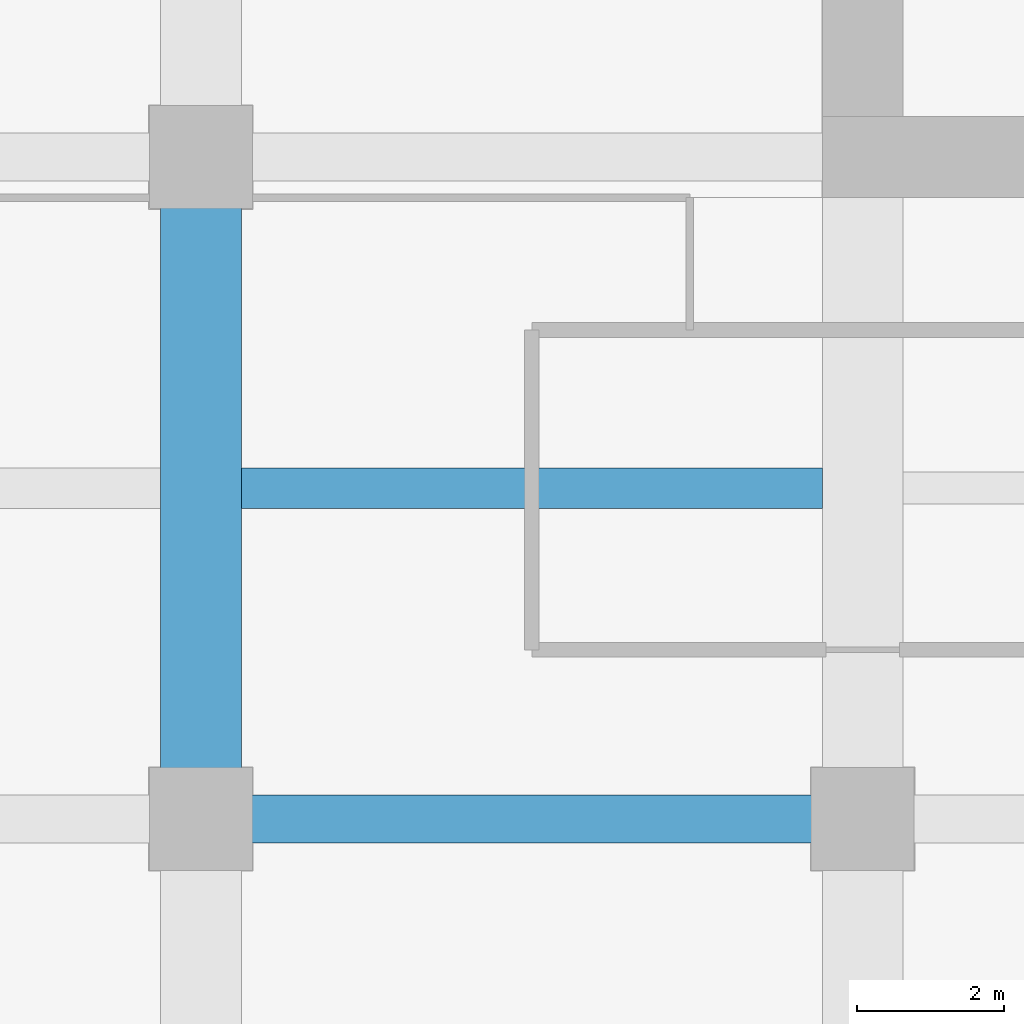
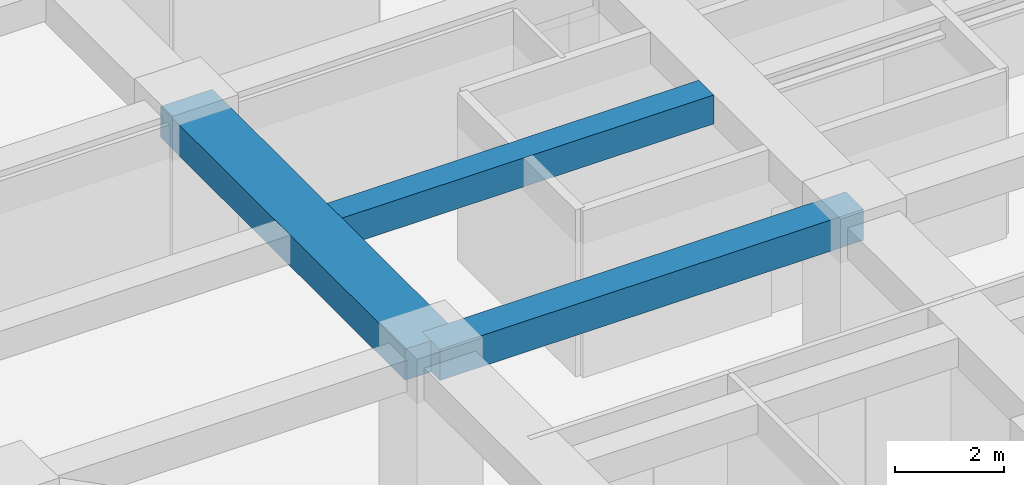
# One storey, part 5 of 33: 3 beams.
"""IFC4 building model written with IfcOpenShell, lengths in metres."""

import ifcopenshell
import ifcopenshell.guid

model = None  # the IFC model being written
_history = None  # IfcOwnerHistory: only IFC2X3 demands one
_inside = {}  # id of a spatial element -> (the spatial element, [elements in it])
_under = {}  # id of a project, library or spatial element -> (it, [spatial elements below it])
_declared = {}  # id of a project -> (the project, [libraries it declares])
_typed = {}  # id of a type object -> (the type object, [elements of that type])
_made_of = {}  # id of a material, layer set ... -> (it, [elements and type objects made of it])


def new_model(schema):
    """Start an empty IFC model of exactly this schema.

    Asked for "IFC4X3", IfcOpenShell would pick the latest addendum, in which some entities
    have other attributes; the version numbers below select the first issue.
    IFC2X3 requires an IfcOwnerHistory on every rooted entity: one is made here for all.
    """
    global model, _history
    if schema == "IFC4X3":
        model = ifcopenshell.file(schema_version=(4, 3, 0, 0))
    else:
        model = ifcopenshell.file(schema=schema)
    _inside.clear()
    _under.clear()
    _declared.clear()
    _typed.clear()
    _made_of.clear()
    _history = None
    if model.schema == "IFC2X3":
        org = make("IfcOrganization", Name="unknown")
        user = make(
            "IfcPersonAndOrganization",
            ThePerson=make("IfcPerson", FamilyName="unknown"),
            TheOrganization=org,
        )
        app = make(
            "IfcApplication",
            ApplicationDeveloper=org,
            Version="unknown",
            ApplicationFullName="unknown",
            ApplicationIdentifier="unknown",
        )
        _history = make(
            "IfcOwnerHistory",
            OwningUser=user,
            OwningApplication=app,
            ChangeAction="ADDED",
            CreationDate=0,
        )
    return model


def make(cls, **values):
    """One entity of the class cls with the attributes given. An attribute that is None is left unset."""
    return model.create_entity(
        cls, **{name: value for name, value in values.items() if value is not None}
    )


def rooted(cls, **values):
    """An entity with a GlobalId (a new one), such as an element, a storey or a relation."""
    return make(cls, GlobalId=ifcopenshell.guid.new(), OwnerHistory=_history, **values)


def si_unit(unit_type, name, prefix=None):
    """IfcSIUnit, for example si_unit("LENGTHUNIT", "METRE", prefix="MILLI")."""
    return make("IfcSIUnit", UnitType=unit_type, Prefix=prefix, Name=name)


def assignment(units):
    """IfcUnitAssignment: the units of a project."""
    return None if units is None else make("IfcUnitAssignment", Units=units)


def point(xyz):
    """IfcCartesianPoint."""
    return None if xyz is None else make("IfcCartesianPoint", Coordinates=xyz)


def direction(xyz):
    """IfcDirection."""
    return None if xyz is None else make("IfcDirection", DirectionRatios=xyz)


def frame(location, z_axis=None, x_axis=None):
    """IfcAxis2Placement3D, a coordinate frame: its origin and axes. An axis left out is left unset."""
    return make(
        "IfcAxis2Placement3D",
        Location=point(location),
        Axis=direction(z_axis),
        RefDirection=direction(x_axis),
    )


def frame_2d(location, x_axis=None):
    """IfcAxis2Placement2D, a coordinate frame in the plane: its origin and x axis."""
    return make(
        "IfcAxis2Placement2D", Location=point(location), RefDirection=direction(x_axis)
    )


def origin():
    """The frame at (0, 0, 0) with its axes left unset."""
    return frame((0.0, 0.0, 0.0))


def origin_2d():
    """The frame at (0, 0) in the plane with its x axis left unset."""
    return frame_2d((0.0, 0.0))


def place(relative_to, where):
    """IfcLocalPlacement: puts the frame where relative to a parent placement (None: the world)."""
    return make(
        "IfcLocalPlacement", PlacementRelTo=relative_to, RelativePlacement=where
    )


def context(
    kind, dimensions, precision=None, world=None, true_north=None, identifier=None
):
    """IfcGeometricRepresentationContext, for example the 3D "Model" context."""
    return make(
        "IfcGeometricRepresentationContext",
        ContextIdentifier=identifier,
        ContextType=kind,
        CoordinateSpaceDimension=dimensions,
        Precision=precision,
        WorldCoordinateSystem=world,
        TrueNorth=true_north,
    )


def subcontext(parent, identifier, kind, view, scale=None):
    """IfcGeometricRepresentationSubContext, for example "Body" below "Model"."""
    return make(
        "IfcGeometricRepresentationSubContext",
        ContextIdentifier=identifier,
        ContextType=kind,
        ParentContext=parent,
        TargetScale=scale,
        TargetView=view,
    )


def project(units=None, contexts=None):
    """IfcProject with its units and contexts."""
    return rooted(
        "IfcProject",
        Name="project",
        RepresentationContexts=contexts,
        UnitsInContext=assignment(units),
    )


def spatial(cls, under=None, at=None, **own):
    """A site, building, storey or space (cls), placed at a placement, below another one or the project."""
    s = rooted(cls, ObjectPlacement=at, **own)
    if under is not None:
        _under.setdefault(under.id(), (under, []))[1].append(s)
    return s


def profile(cls, at=None, kind="AREA", **sizes):
    """A parametric profile (cls). Its sizes go by their IFC names, for example OverallWidth=200.0."""
    return make(cls, ProfileType=kind, Position=at, **sizes)


def rectangle(**sizes):
    """IfcRectangleProfileDef."""
    return profile("IfcRectangleProfileDef", **sizes)


def extrude(swept, where, along, depth):
    """IfcExtrudedAreaSolid: the profile swept, set in the frame where, extruded along a direction by depth."""
    return make(
        "IfcExtrudedAreaSolid",
        SweptArea=swept,
        Position=where,
        ExtrudedDirection=direction(along),
        Depth=depth,
    )


def shape(context_of_items, identifier, shape_type, items):
    """IfcShapeRepresentation: the items that make up one representation, for example the "Body"."""
    return make(
        "IfcShapeRepresentation",
        ContextOfItems=context_of_items,
        RepresentationIdentifier=identifier,
        RepresentationType=shape_type,
        Items=items,
    )


def material(Name=None, Category=None):
    """IfcMaterial."""
    return make("IfcMaterial", Name=Name, Category=Category)


def material_profile(
    of_material, cross_section, Name=None, Category=None, Priority=None
):
    """IfcMaterialProfile: a cross section and its material."""
    return make(
        "IfcMaterialProfile",
        Name=Name,
        Material=of_material,
        Profile=cross_section,
        Priority=Priority,
        Category=Category,
    )


def profile_set(profiles, Name=None, composite=None):
    """IfcMaterialProfileSet."""
    return make(
        "IfcMaterialProfileSet",
        Name=Name,
        MaterialProfiles=profiles,
        CompositeProfile=composite,
    )


def made_of(thing, what):
    """Note that an element or type object is made of a material, layer set ...; save() writes the relation."""
    if what is not None:
        _made_of.setdefault(what.id(), (what, []))[1].append(thing)
    return thing


def type_object(cls, material=None, **own):
    """A type object (cls), such as IfcWallType, which elements share."""
    return made_of(rooted(cls, **own), material)


def element(
    cls,
    number,
    at=None,
    inside=None,
    cuts=None,
    type_object=None,
    material=None,
    context=None,
    identifier="Body",
    shape_type=None,
    held_by="IfcProductDefinitionShape",
    body=None,
    shapes=None,
    **own,
):
    """One element of the class cls, such as IfcWall. Its Tag is "e" and its number.

    at: its placement. inside: the storey or other place that contains it. cuts: it is an
    opening in that element (IfcRelVoidsElement). A single representation is given by context,
    identifier, shape_type and body (its items); several are given by shapes. held_by: the class
    of the entity that holds the representations. save() writes the other relations.
    """
    e = rooted(cls, Tag="e%d" % number, ObjectPlacement=at, **own)
    if body is not None:
        shapes = [shape(context, identifier, shape_type, body)]
    if shapes is not None:
        e.Representation = make(held_by, Representations=shapes)
    if inside is not None:
        _inside.setdefault(inside.id(), (inside, []))[1].append(e)
    if cuts is not None:
        rooted(
            "IfcRelVoidsElement", RelatingBuildingElement=cuts, RelatedOpeningElement=e
        )
    if type_object is not None:
        _typed.setdefault(type_object.id(), (type_object, []))[1].append(e)
    return made_of(e, material)


def aggregate(whole, parts):
    """IfcRelAggregates: a whole, such as a stair, and the parts it consists of."""
    return rooted("IfcRelAggregates", RelatingObject=whole, RelatedObjects=parts)


def save(model, path):
    """Write the relations noted so far, then the file.

    IfcRelAggregates (storeys below a building ...), IfcRelContainedInSpatialStructure (elements
    in a storey), IfcRelDefinesByType, IfcRelAssociatesMaterial and IfcRelDeclares: one each for
    every whole, place, type object, material and project.
    """
    for whole, parts in _under.values():
        aggregate(whole, parts)
    for where, things in _inside.values():
        rooted(
            "IfcRelContainedInSpatialStructure",
            RelatedElements=things,
            RelatingStructure=where,
        )
    for kind, things in _typed.values():
        rooted("IfcRelDefinesByType", RelatedObjects=things, RelatingType=kind)
    for what, things in _made_of.values():
        rooted("IfcRelAssociatesMaterial", RelatedObjects=things, RelatingMaterial=what)
    for by, libraries in _declared.values():
        rooted("IfcRelDeclares", RelatingContext=by, RelatedDefinitions=libraries)
    model.write(path)


model = new_model("IFC4")

# Units and contexts
model_context = context("Model", 3, precision=1e-05, world=origin(), true_north=direction((0.0, 1.0)))
body_context = subcontext(model_context, "Body", "Model", "MODEL_VIEW")
ifc_project = project(units=[si_unit("LENGTHUNIT", "METRE"), si_unit("AREAUNIT", "SQUARE_METRE"), si_unit("VOLUMEUNIT", "CUBIC_METRE"), si_unit("PLANEANGLEUNIT", "RADIAN"), si_unit("MASSUNIT", "GRAM", prefix="KILO")], contexts=[model_context])

# Site, building, storey
site_placement = place(None, origin())
site = spatial("IfcSite", under=ifc_project, at=site_placement, CompositionType="ELEMENT")
building_placement = place(site_placement, origin())
building = spatial("IfcBuilding", under=site, at=building_placement, Name="Zorevar Civic Tower", CompositionType="ELEMENT")
storey_placement = place(building_placement, frame((0.0, 0.0, 206.199951171875)))
storey = spatial("IfcBuildingStorey", under=building, at=storey_placement, Name="L50", CompositionType="ELEMENT", Elevation=206.199951171875)

# Beams
ifc_material_1 = material(Name="Concrete C50/60", Category="concrete")
ifc_material_profile_1 = material_profile(ifc_material_1, rectangle(XDim=1.10009765625, YDim=0.699951171875, at=origin_2d()), Name="RC 1100x700")
ifc_profile_set_1 = profile_set([ifc_material_profile_1], Name="Concrete C50/60")
beam_type_1 = type_object("IfcBeamType", Name="Beam RC 1100x700", PredefinedType="BEAM", material=ifc_profile_set_1)
beam_1_placement = place(storey_placement, frame((9.0, 9.0, 3.400146484375), z_axis=(0.0, 1.0, 0.0), x_axis=(-1.0, 0.0, 0.0)))
element("IfcBeam", 1, at=beam_1_placement, inside=storey, type_object=beam_type_1, Name="Girder L51", PredefinedType="BEAM", context=body_context, shape_type="SweptSolid", body=[
    extrude(rectangle(XDim=1.10009765625, YDim=0.699951171875, at=origin_2d()), origin(), (0.0, 0.0, 1.0), 9.0),
])
ifc_material_2 = material(Name="Concrete C50/60", Category="concrete")
ifc_material_profile_2 = material_profile(ifc_material_2, rectangle(XDim=0.550048828125, YDim=0.64990234375, at=origin_2d()), Name="RC 550x650")
ifc_profile_set_2 = profile_set([ifc_material_profile_2], Name="Concrete C50/60")
beam_type_2 = type_object("IfcBeamType", Name="Beam RC 550x650", PredefinedType="BEAM", material=ifc_profile_set_2)
beam_2_placement = place(storey_placement, frame((9.550048828125, 13.5, 3.425048828125), z_axis=(1.0, 0.0, 0.0), x_axis=(0.0, 1.0, 0.0)))
element("IfcBeam", 2, at=beam_2_placement, inside=storey, type_object=beam_type_2, Name="Secondary beam L51", PredefinedType="BEAM", context=body_context, shape_type="SweptSolid", body=[
    extrude(rectangle(XDim=0.550048828125, YDim=0.64990234375, at=origin_2d()), origin(), (0.0, 0.0, 1.0), 7.89990234375),
])
ifc_material_3 = material(Name="Concrete C50/60", Category="concrete")
ifc_material_profile_3 = material_profile(ifc_material_3, rectangle(XDim=0.64990234375, YDim=0.699951171875, at=origin_2d()), Name="RC 650x700")
ifc_profile_set_3 = profile_set([ifc_material_profile_3], Name="Concrete C50/60")
beam_type_3 = type_object("IfcBeamType", Name="Beam RC 650x700", PredefinedType="BEAM", material=ifc_profile_set_3)
beam_3_placement = place(storey_placement, frame((9.0, 9.0, 3.400146484375), z_axis=(1.0, 0.0, 0.0), x_axis=(0.0, 1.0, 0.0)))
element("IfcBeam", 3, at=beam_3_placement, inside=storey, type_object=beam_type_3, Name="Girder L51", PredefinedType="BEAM", context=body_context, shape_type="SweptSolid", body=[
    extrude(rectangle(XDim=0.64990234375, YDim=0.699951171875, at=origin_2d()), origin(), (0.0, 0.0, 1.0), 9.0),
])

save(model, "model.ifc")
